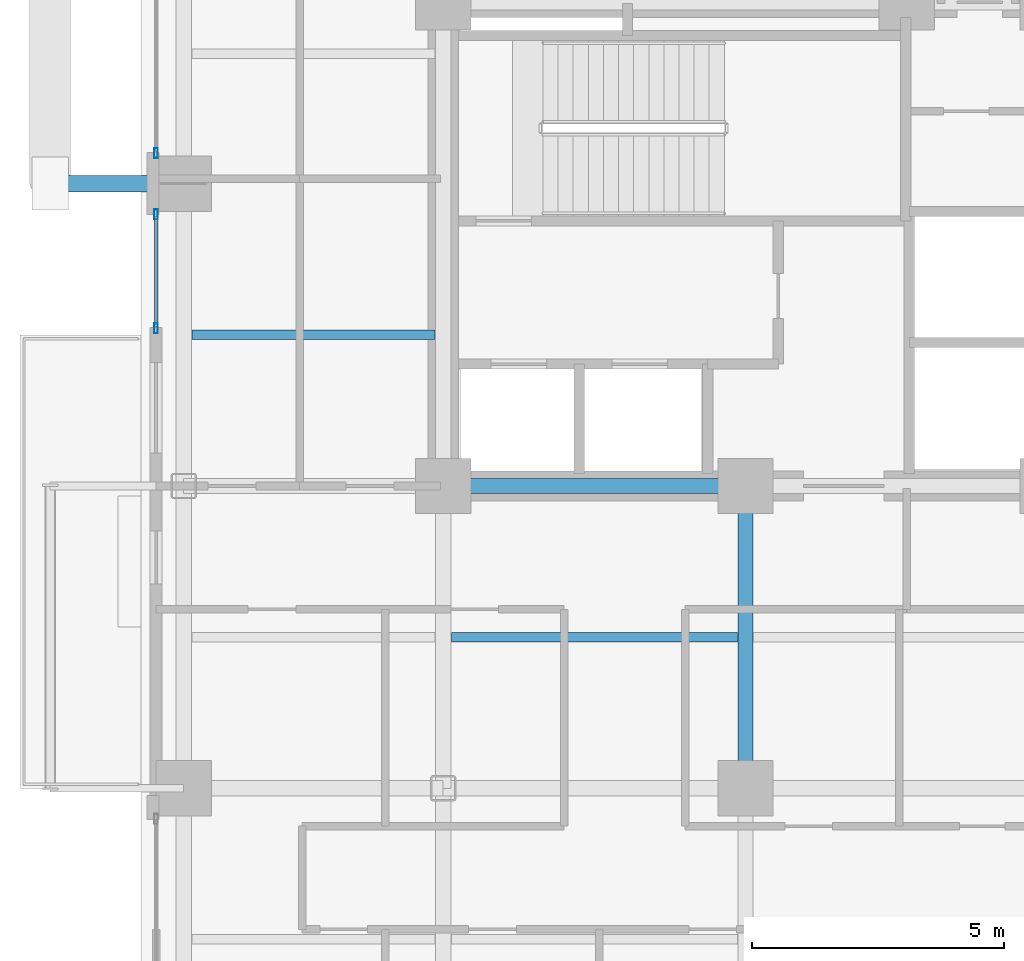
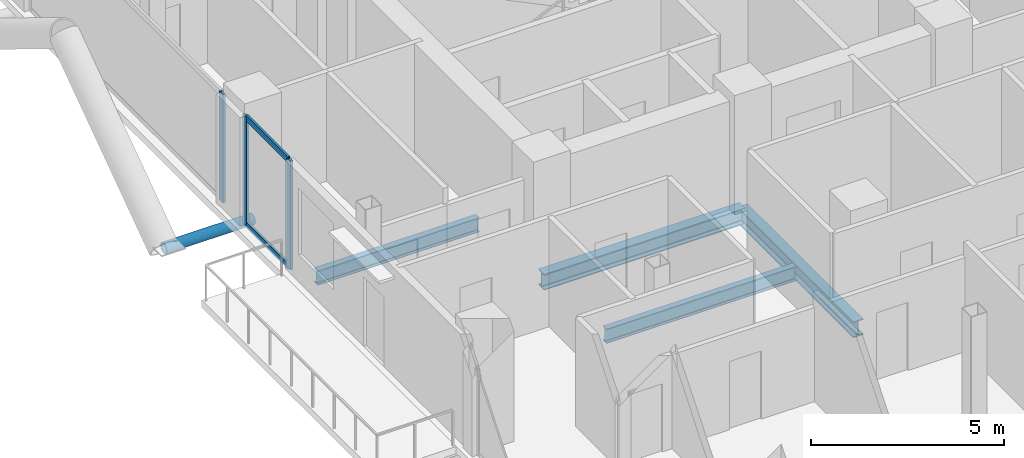
# One storey, part 6 of 24: 6 members, 4 beams, 2 elements without a shape of their own.
"""IFC4 building model written with IfcOpenShell, lengths in metres."""

import ifcopenshell
import ifcopenshell.guid

model = None  # the IFC model being written
_history = None  # IfcOwnerHistory: only IFC2X3 demands one
_inside = {}  # id of a spatial element -> (the spatial element, [elements in it])
_under = {}  # id of a project, library or spatial element -> (it, [spatial elements below it])
_declared = {}  # id of a project -> (the project, [libraries it declares])
_typed = {}  # id of a type object -> (the type object, [elements of that type])
_made_of = {}  # id of a material, layer set ... -> (it, [elements and type objects made of it])


def new_model(schema):
    """Start an empty IFC model of exactly this schema.

    Asked for "IFC4X3", IfcOpenShell would pick the latest addendum, in which some entities
    have other attributes; the version numbers below select the first issue.
    IFC2X3 requires an IfcOwnerHistory on every rooted entity: one is made here for all.
    """
    global model, _history
    if schema == "IFC4X3":
        model = ifcopenshell.file(schema_version=(4, 3, 0, 0))
    else:
        model = ifcopenshell.file(schema=schema)
    _inside.clear()
    _under.clear()
    _declared.clear()
    _typed.clear()
    _made_of.clear()
    _history = None
    if model.schema == "IFC2X3":
        org = make("IfcOrganization", Name="unknown")
        user = make(
            "IfcPersonAndOrganization",
            ThePerson=make("IfcPerson", FamilyName="unknown"),
            TheOrganization=org,
        )
        app = make(
            "IfcApplication",
            ApplicationDeveloper=org,
            Version="unknown",
            ApplicationFullName="unknown",
            ApplicationIdentifier="unknown",
        )
        _history = make(
            "IfcOwnerHistory",
            OwningUser=user,
            OwningApplication=app,
            ChangeAction="ADDED",
            CreationDate=0,
        )
    return model


def make(cls, **values):
    """One entity of the class cls with the attributes given. An attribute that is None is left unset."""
    return model.create_entity(
        cls, **{name: value for name, value in values.items() if value is not None}
    )


def rooted(cls, **values):
    """An entity with a GlobalId (a new one), such as an element, a storey or a relation."""
    return make(cls, GlobalId=ifcopenshell.guid.new(), OwnerHistory=_history, **values)


def si_unit(unit_type, name, prefix=None):
    """IfcSIUnit, for example si_unit("LENGTHUNIT", "METRE", prefix="MILLI")."""
    return make("IfcSIUnit", UnitType=unit_type, Prefix=prefix, Name=name)


def assignment(units):
    """IfcUnitAssignment: the units of a project."""
    return None if units is None else make("IfcUnitAssignment", Units=units)


def point(xyz):
    """IfcCartesianPoint."""
    return None if xyz is None else make("IfcCartesianPoint", Coordinates=xyz)


def direction(xyz):
    """IfcDirection."""
    return None if xyz is None else make("IfcDirection", DirectionRatios=xyz)


def frame(location, z_axis=None, x_axis=None):
    """IfcAxis2Placement3D, a coordinate frame: its origin and axes. An axis left out is left unset."""
    return make(
        "IfcAxis2Placement3D",
        Location=point(location),
        Axis=direction(z_axis),
        RefDirection=direction(x_axis),
    )


def frame_2d(location, x_axis=None):
    """IfcAxis2Placement2D, a coordinate frame in the plane: its origin and x axis."""
    return make(
        "IfcAxis2Placement2D", Location=point(location), RefDirection=direction(x_axis)
    )


def origin():
    """The frame at (0, 0, 0) with its axes left unset."""
    return frame((0.0, 0.0, 0.0))


def origin_2d():
    """The frame at (0, 0) in the plane with its x axis left unset."""
    return frame_2d((0.0, 0.0))


def place(relative_to, where):
    """IfcLocalPlacement: puts the frame where relative to a parent placement (None: the world)."""
    return make(
        "IfcLocalPlacement", PlacementRelTo=relative_to, RelativePlacement=where
    )


def context(
    kind, dimensions, precision=None, world=None, true_north=None, identifier=None
):
    """IfcGeometricRepresentationContext, for example the 3D "Model" context."""
    return make(
        "IfcGeometricRepresentationContext",
        ContextIdentifier=identifier,
        ContextType=kind,
        CoordinateSpaceDimension=dimensions,
        Precision=precision,
        WorldCoordinateSystem=world,
        TrueNorth=true_north,
    )


def subcontext(parent, identifier, kind, view, scale=None):
    """IfcGeometricRepresentationSubContext, for example "Body" below "Model"."""
    return make(
        "IfcGeometricRepresentationSubContext",
        ContextIdentifier=identifier,
        ContextType=kind,
        ParentContext=parent,
        TargetScale=scale,
        TargetView=view,
    )


def project(units=None, contexts=None):
    """IfcProject with its units and contexts."""
    return rooted(
        "IfcProject",
        Name="project",
        RepresentationContexts=contexts,
        UnitsInContext=assignment(units),
    )


def spatial(cls, under=None, at=None, **own):
    """A site, building, storey or space (cls), placed at a placement, below another one or the project."""
    s = rooted(cls, ObjectPlacement=at, **own)
    if under is not None:
        _under.setdefault(under.id(), (under, []))[1].append(s)
    return s


def profile(cls, at=None, kind="AREA", **sizes):
    """A parametric profile (cls). Its sizes go by their IFC names, for example OverallWidth=200.0."""
    return make(cls, ProfileType=kind, Position=at, **sizes)


def hollow_rectangle(**sizes):
    """IfcRectangleHollowProfileDef."""
    return profile("IfcRectangleHollowProfileDef", **sizes)


def hollow_circle(**sizes):
    """IfcCircleHollowProfileDef."""
    return profile("IfcCircleHollowProfileDef", **sizes)


def i_section(**sizes):
    """IfcIShapeProfileDef."""
    return profile("IfcIShapeProfileDef", **sizes)


def extrude(swept, where, along, depth):
    """IfcExtrudedAreaSolid: the profile swept, set in the frame where, extruded along a direction by depth."""
    return make(
        "IfcExtrudedAreaSolid",
        SweptArea=swept,
        Position=where,
        ExtrudedDirection=direction(along),
        Depth=depth,
    )


def shape(context_of_items, identifier, shape_type, items):
    """IfcShapeRepresentation: the items that make up one representation, for example the "Body"."""
    return make(
        "IfcShapeRepresentation",
        ContextOfItems=context_of_items,
        RepresentationIdentifier=identifier,
        RepresentationType=shape_type,
        Items=items,
    )


def material(Name=None, Category=None):
    """IfcMaterial."""
    return make("IfcMaterial", Name=Name, Category=Category)


def layer(
    of_material, thickness, ventilated=None, Name=None, Category=None, Priority=None
):
    """IfcMaterialLayer: one layer of a wall or slab, of a material (None: an air gap)."""
    return make(
        "IfcMaterialLayer",
        Material=of_material,
        LayerThickness=thickness,
        IsVentilated=ventilated,
        Name=Name,
        Category=Category,
        Priority=Priority,
    )


def layer_set(layers, Name=None):
    """IfcMaterialLayerSet."""
    return make("IfcMaterialLayerSet", MaterialLayers=layers, LayerSetName=Name)


def material_profile(
    of_material, cross_section, Name=None, Category=None, Priority=None
):
    """IfcMaterialProfile: a cross section and its material."""
    return make(
        "IfcMaterialProfile",
        Name=Name,
        Material=of_material,
        Profile=cross_section,
        Priority=Priority,
        Category=Category,
    )


def profile_set(profiles, Name=None, composite=None):
    """IfcMaterialProfileSet."""
    return make(
        "IfcMaterialProfileSet",
        Name=Name,
        MaterialProfiles=profiles,
        CompositeProfile=composite,
    )


def made_of(thing, what):
    """Note that an element or type object is made of a material, layer set ...; save() writes the relation."""
    if what is not None:
        _made_of.setdefault(what.id(), (what, []))[1].append(thing)
    return thing


def type_object(cls, material=None, **own):
    """A type object (cls), such as IfcWallType, which elements share."""
    return made_of(rooted(cls, **own), material)


def element(
    cls,
    number,
    at=None,
    inside=None,
    cuts=None,
    type_object=None,
    material=None,
    context=None,
    identifier="Body",
    shape_type=None,
    held_by="IfcProductDefinitionShape",
    body=None,
    shapes=None,
    **own,
):
    """One element of the class cls, such as IfcWall. Its Tag is "e" and its number.

    at: its placement. inside: the storey or other place that contains it. cuts: it is an
    opening in that element (IfcRelVoidsElement). A single representation is given by context,
    identifier, shape_type and body (its items); several are given by shapes. held_by: the class
    of the entity that holds the representations. save() writes the other relations.
    """
    e = rooted(cls, Tag="e%d" % number, ObjectPlacement=at, **own)
    if body is not None:
        shapes = [shape(context, identifier, shape_type, body)]
    if shapes is not None:
        e.Representation = make(held_by, Representations=shapes)
    if inside is not None:
        _inside.setdefault(inside.id(), (inside, []))[1].append(e)
    if cuts is not None:
        rooted(
            "IfcRelVoidsElement", RelatingBuildingElement=cuts, RelatedOpeningElement=e
        )
    if type_object is not None:
        _typed.setdefault(type_object.id(), (type_object, []))[1].append(e)
    return made_of(e, material)


def aggregate(whole, parts):
    """IfcRelAggregates: a whole, such as a stair, and the parts it consists of."""
    return rooted("IfcRelAggregates", RelatingObject=whole, RelatedObjects=parts)


def save(model, path):
    """Write the relations noted so far, then the file.

    IfcRelAggregates (storeys below a building ...), IfcRelContainedInSpatialStructure (elements
    in a storey), IfcRelDefinesByType, IfcRelAssociatesMaterial and IfcRelDeclares: one each for
    every whole, place, type object, material and project.
    """
    for whole, parts in _under.values():
        aggregate(whole, parts)
    for where, things in _inside.values():
        rooted(
            "IfcRelContainedInSpatialStructure",
            RelatedElements=things,
            RelatingStructure=where,
        )
    for kind, things in _typed.values():
        rooted("IfcRelDefinesByType", RelatedObjects=things, RelatingType=kind)
    for what, things in _made_of.values():
        rooted("IfcRelAssociatesMaterial", RelatedObjects=things, RelatingMaterial=what)
    for by, libraries in _declared.values():
        rooted("IfcRelDeclares", RelatingContext=by, RelatedDefinitions=libraries)
    model.write(path)


model = new_model("IFC4")

# Units and contexts
model_context = context("Model", 3, precision=1e-05, world=origin(), true_north=direction((0.0, 1.0)))
body_context = subcontext(model_context, "Body", "Model", "MODEL_VIEW")
ifc_project = project(units=[si_unit("LENGTHUNIT", "METRE"), si_unit("AREAUNIT", "SQUARE_METRE"), si_unit("VOLUMEUNIT", "CUBIC_METRE"), si_unit("PLANEANGLEUNIT", "RADIAN"), si_unit("MASSUNIT", "GRAM", prefix="KILO"), si_unit("THERMODYNAMICTEMPERATUREUNIT", "KELVIN"), si_unit("POWERUNIT", "WATT")], contexts=[model_context])

# Site, building, storey
site_placement = place(None, origin())
site = spatial("IfcSite", under=ifc_project, at=site_placement, CompositionType="ELEMENT")
building_placement = place(site_placement, origin())
building = spatial("IfcBuilding", under=site, at=building_placement, Name="Svarakhadi Broadcast Tower", CompositionType="ELEMENT")
storey_placement = place(building_placement, frame((0.0, 0.0, 160.64990234375)))
storey = spatial("IfcBuildingStorey", under=building, at=storey_placement, Name="L39", CompositionType="ELEMENT", Elevation=160.64990234375)

# Beams
ifc_material_1 = material(Name="Steel S355J2 (IS 2062 E350C)", Category="steel")
ifc_material_profile_1 = material_profile(ifc_material_1, i_section(OverallWidth=0.18994140625, OverallDepth=0.449951171875, WebThickness=0.009521484375, FlangeThickness=0.0146484375, FilletRadius=0.02099609375, at=origin_2d()), Name="NPB 450x190x78")
ifc_profile_set_1 = profile_set([ifc_material_profile_1], Name="Steel S355J2 (IS 2062 E350C)")
beam_type_1 = type_object("IfcBeamType", Name="Beam_NPB450", PredefinedType="BEAM", material=ifc_profile_set_1)
beam_1_placement = place(storey_placement, frame((1.010009765625, 21.0, -0.449951171875), z_axis=(1.0, 0.0, 0.0), x_axis=(0.0, 1.0, 0.0)))
element("IfcBeam", 1, at=beam_1_placement, inside=storey, type_object=beam_type_1, Name="L39 Secondary Composite Beam SB003", PredefinedType="BEAM", context=body_context, shape_type="SweptSolid", body=[
    extrude(i_section(OverallWidth=0.18994140625, OverallDepth=0.449951171875, WebThickness=0.009521484375, FlangeThickness=0.0146484375, FilletRadius=0.02099609375, at=origin_2d()), origin(), (0.0, 0.0, 1.0), 4.830078125),
])
beam_2_placement = place(storey_placement, frame((6.159912109375, 15.0, -0.449951171875), z_axis=(1.0, 0.0, 0.0), x_axis=(0.0, 1.0, 0.0)))
element("IfcBeam", 2, at=beam_2_placement, inside=storey, type_object=beam_type_1, Name="L39 Secondary Composite Beam SB008", PredefinedType="BEAM", context=body_context, shape_type="SweptSolid", body=[
    extrude(i_section(OverallWidth=0.18994140625, OverallDepth=0.449951171875, WebThickness=0.009521484375, FlangeThickness=0.0146484375, FilletRadius=0.02099609375, at=origin_2d()), origin(), (0.0, 0.0, 1.0), 5.68017578125),
])

# Curtain wall, members
ifc_material_2 = material(Name="Anodised Bronze Aluminium AA 6063-T6", Category="aluminium")
ifc_layer = layer(ifc_material_2, 0.199951171875)
ifc_layer_set = layer_set([ifc_layer], Name="Anodised Bronze Aluminium AA 6063-T6")
curtain_wall_type = type_object("IfcCurtainWallType", Name="CW_Sys_03", PredefinedType="NOTDEFINED", material=ifc_layer_set)
curtain_wall_1_placement = place(storey_placement, origin())
curtain_wall_1 = element("IfcCurtainWall", 3, at=curtain_wall_1_placement, inside=storey, type_object=curtain_wall_type, Name="L39 West Curtain Wall 03 Bay 1", PredefinedType="NOTDEFINED")
ifc_material_profile_2 = material_profile(ifc_material_2, hollow_rectangle(XDim=0.074951171875, YDim=0.199951171875, WallThickness=0.005615234375, at=origin_2d()), Name="ALU MULLION 200x75x6")
ifc_profile_set_2 = profile_set([ifc_material_profile_2], Name="Anodised Bronze Aluminium AA 6063-T6")
member_type_1 = type_object("IfcMemberType", Name="CW_Sys_03_Mul", PredefinedType="MULLION", material=ifc_profile_set_2)
member_1_placement = place(storey_placement, frame((0.300048828125, 21.12744140625, 0.0), z_axis=(0.0, 0.0, 1.0), x_axis=(-1.0, 0.0, 0.0)))
member_1 = element("IfcMember", 4, at=member_1_placement, type_object=member_type_1, Name="CW-03 mullion 1", PredefinedType="MULLION", context=body_context, shape_type="SweptSolid", body=[
    extrude(hollow_rectangle(XDim=0.074951171875, YDim=0.199951171875, WallThickness=0.005615234375, at=origin_2d()), origin(), (0.0, 0.0, 1.0), 3.425048828125),
])
member_2_placement = place(storey_placement, frame((0.300048828125, 23.392578125, 0.0), z_axis=(0.0, 0.0, 1.0), x_axis=(-1.0, 0.0, 0.0)))
member_2 = element("IfcMember", 5, at=member_2_placement, type_object=member_type_1, Name="CW-03 mullion 2", PredefinedType="MULLION", context=body_context, shape_type="SweptSolid", body=[
    extrude(hollow_rectangle(XDim=0.074951171875, YDim=0.199951171875, WallThickness=0.005615234375, at=origin_2d()), origin(), (0.0, 0.0, 1.0), 3.425048828125),
])

# Curtain wall, member
curtain_wall_2_placement = place(storey_placement, origin())
curtain_wall_2 = element("IfcCurtainWall", 6, at=curtain_wall_2_placement, inside=storey, type_object=curtain_wall_type, Name="L39 West Curtain Wall 03 Bay 2", PredefinedType="NOTDEFINED")
member_3_placement = place(storey_placement, frame((0.300048828125, 24.607421875, 0.0), z_axis=(0.0, 0.0, 1.0), x_axis=(-1.0, 0.0, 0.0)))
member_3 = element("IfcMember", 7, at=member_3_placement, type_object=member_type_1, Name="CW-03 mullion 1", PredefinedType="MULLION", context=body_context, shape_type="SweptSolid", body=[
    extrude(hollow_rectangle(XDim=0.074951171875, YDim=0.199951171875, WallThickness=0.005615234375, at=origin_2d()), origin(), (0.0, 0.0, 1.0), 3.425048828125),
])
aggregate(curtain_wall_2, [member_3])

# Member
ifc_material_profile_3 = material_profile(ifc_material_2, hollow_rectangle(XDim=0.070068359375, YDim=0.18505859375, WallThickness=0.0048828125, at=origin_2d()), Name="ALU TRANSOM 185x70x5")
ifc_profile_set_3 = profile_set([ifc_material_profile_3], Name="Anodised Bronze Aluminium AA 6063-T6")
member_type_2 = type_object("IfcMemberType", Name="CW_Sys_03_Trn", PredefinedType="USERDEFINED", material=ifc_profile_set_3)
member_4_placement = place(storey_placement, frame((0.300048828125, 21.1650390625, 0.03515625), z_axis=(0.0, 1.0, 0.0), x_axis=(-1.0, 0.0, 0.0)))
member_4 = element("IfcMember", 8, at=member_4_placement, type_object=member_type_2, Name="CW-03 transom 1.1", ObjectType="TRANSOM", PredefinedType="USERDEFINED", context=body_context, shape_type="SweptSolid", body=[
    extrude(hollow_rectangle(XDim=0.070068359375, YDim=0.18505859375, WallThickness=0.0048828125, at=origin_2d()), origin(), (0.0, 0.0, 1.0), 2.18994140625),
])

member_5_placement = place(storey_placement, frame((0.300048828125, 21.1650390625, 3.39013671875), z_axis=(0.0, 1.0, 0.0), x_axis=(-1.0, 0.0, 0.0)))
member_5 = element("IfcMember", 9, at=member_5_placement, type_object=member_type_2, Name="CW-03 transom 1.2", ObjectType="TRANSOM", PredefinedType="USERDEFINED", context=body_context, shape_type="SweptSolid", body=[
    extrude(hollow_rectangle(XDim=0.070068359375, YDim=0.18505859375, WallThickness=0.0048828125, at=origin_2d()), origin(), (0.0, 0.0, 1.0), 2.18994140625),
])

aggregate(curtain_wall_1, [member_1, member_2, member_4, member_5])

ifc_material_3 = material(Name="Steel S460ML (IS 2062 E450BR)", Category="steel")
ifc_material_profile_4 = material_profile(ifc_material_3, hollow_circle(Radius=0.161865234375, WallThickness=0.01611328125, at=origin_2d()), Name="CHS 323.9x16")
ifc_profile_set_4 = profile_set([ifc_material_profile_4], Name="Steel S460ML (IS 2062 E450BR)")
member_type_3 = type_object("IfcMemberType", Name="Exo_Radial_Strut_Z2", PredefinedType="STRUT", material=ifc_profile_set_4)
member_6_placement = place(storey_placement, frame((-1.800048828125, 24.0, -0.386962890625), z_axis=(1.0, 0.0, 0.0), x_axis=(0.0, 1.0, 0.0)))
element("IfcMember", 10, at=member_6_placement, inside=storey, type_object=member_type_3, Name="L39 Exoskeleton Radial Tie Strut W03", PredefinedType="STRUT", context=body_context, shape_type="SweptSolid", body=[
    extrude(hollow_circle(Radius=0.161865234375, WallThickness=0.01611328125, at=origin_2d()), origin(), (0.0, 0.0, 1.0), 2.650146484375),
])

# Beams
ifc_material_profile_5 = material_profile(ifc_material_1, i_section(OverallWidth=0.300048828125, OverallDepth=0.5, WebThickness=0.014404296875, FlangeThickness=0.028076171875, FilletRadius=0.027099609375, at=origin_2d()), Name="WPB 500x300x187")
ifc_profile_set_5 = profile_set([ifc_material_profile_5], Name="Steel S355J2 (IS 2062 E350C)")
beam_type_2 = type_object("IfcBeamType", Name="Girder_WPB500", PredefinedType="USERDEFINED", material=ifc_profile_set_5)
for number, where, z_axis, x_axis, name in (
    (11, (6.0, 18.0, -0.474853515625), (1.0, 0.0, 0.0), (0.0, 1.0, 0.0), "L39 Primary E-W Girder G024"),
    (12, (12.0, 12.0, -0.474853515625), (0.0, 1.0, 0.0), (-1.0, 0.0, 0.0), "L39 Primary N-S Girder G053"),
):
    element("IfcBeam", number, at=place(storey_placement, frame(where, z_axis=z_axis, x_axis=x_axis)), inside=storey, type_object=beam_type_2, Name=name, ObjectType="GIRDER", PredefinedType="USERDEFINED", context=body_context, shape_type="SweptSolid", body=[
        extrude(i_section(OverallWidth=0.300048828125, OverallDepth=0.5, WebThickness=0.014404296875, FlangeThickness=0.028076171875, FilletRadius=0.027099609375, at=origin_2d()), origin(), (0.0, 0.0, 1.0), 6.0),
    ])

save(model, "model.ifc")
